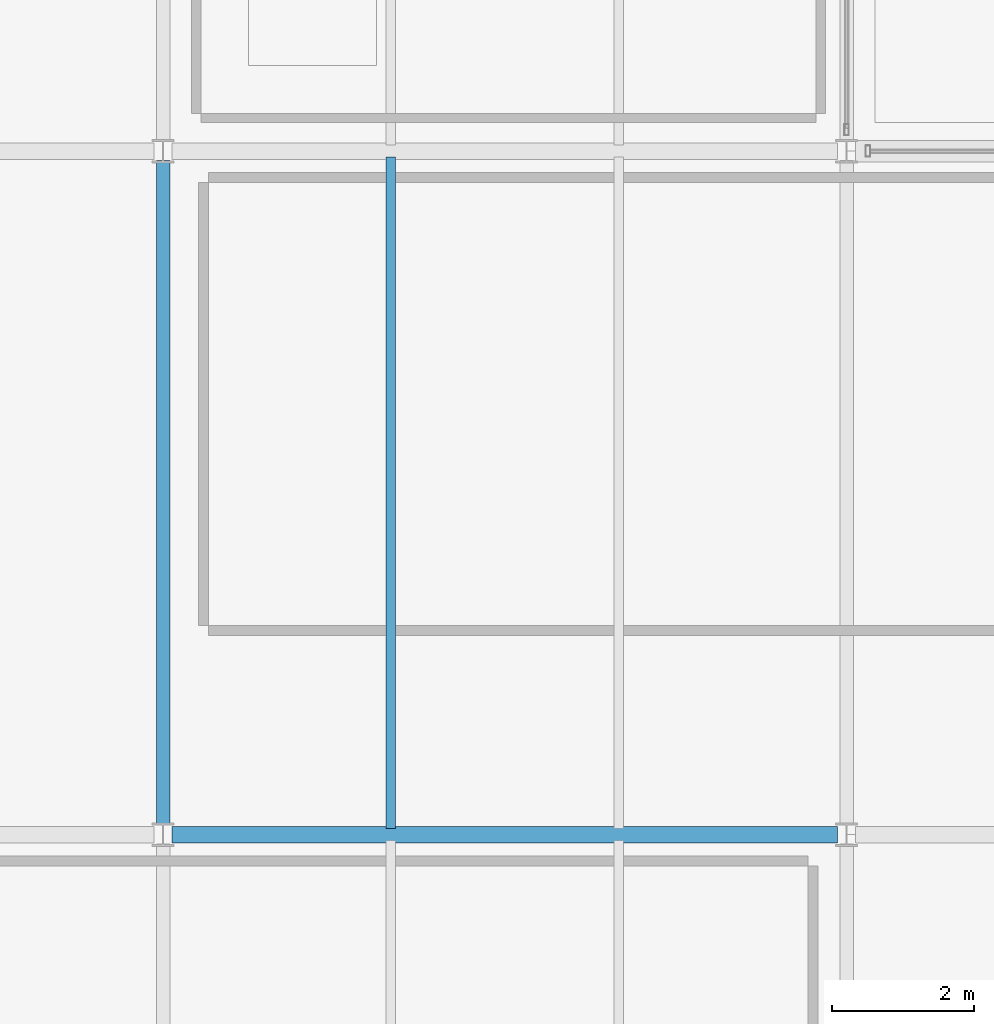
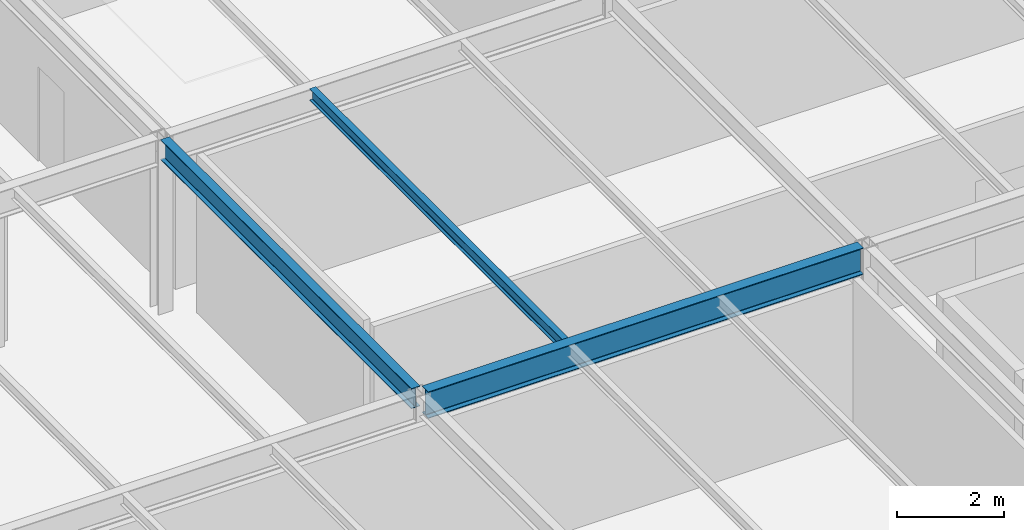
# One storey, part 8 of 50: 3 beams.
"""IFC4 building model written with IfcOpenShell, lengths in metres."""

from ifc_helpers import new_model, si_unit, direction, frame, origin, origin_2d, place, context, subcontext, project, spatial, i_section, extrude, material, material_profile, profile_set, type_object, element, save


model = new_model("IFC4")

# Units and contexts
model_context = context("Model", 3, precision=1e-05, world=origin(), true_north=direction((0.0, 1.0)))
body_context = subcontext(model_context, "Body", "Model", "MODEL_VIEW")
ifc_project = project(units=[si_unit("LENGTHUNIT", "METRE"), si_unit("AREAUNIT", "SQUARE_METRE"), si_unit("VOLUMEUNIT", "CUBIC_METRE"), si_unit("PLANEANGLEUNIT", "RADIAN"), si_unit("MASSUNIT", "GRAM", prefix="KILO")], contexts=[model_context])

# Site, building, storey
site_placement = place(None, origin())
site = spatial("IfcSite", under=ifc_project, at=site_placement, CompositionType="ELEMENT")
building_placement = place(site_placement, origin())
building = spatial("IfcBuilding", under=site, at=building_placement, Name="Coralgate Yard Interchange", CompositionType="ELEMENT")
storey_placement = place(building_placement, frame((0.0, 0.0, 14.699951171875)))
storey = spatial("IfcBuildingStorey", under=building, at=storey_placement, Name="L03", CompositionType="ELEMENT", Elevation=14.699951171875)

# Beams
ifc_material = material(Name="Structural steel S355J2", Category="steel")
ifc_material_profile_1 = material_profile(ifc_material, i_section(OverallWidth=0.1904296875, OverallDepth=0.45703125, WebThickness=0.009033203125, FlangeThickness=0.014404296875, FilletRadius=0.01025390625, at=origin_2d()), Name="UB 457x191x74")
ifc_profile_set_1 = profile_set([ifc_material_profile_1], Name="Structural steel S355J2")
beam_type_1 = type_object("IfcBeamType", Name="BM-SB-2", PredefinedType="BEAM", material=ifc_profile_set_1)
beam_1_placement = place(storey_placement, frame((9.60009765625, 9.7333984375, 3.721435546875), z_axis=(0.0, 1.0, 0.0), x_axis=(-1.0, 0.0, 0.0)))
element("IfcBeam", 1, at=beam_1_placement, inside=storey, type_object=beam_type_1, Name="L03 primary grid girder X1 Y1-2", PredefinedType="BEAM", context=body_context, shape_type="SweptSolid", body=[
    extrude(i_section(OverallWidth=0.1904296875, OverallDepth=0.45703125, WebThickness=0.009033203125, FlangeThickness=0.014404296875, FilletRadius=0.01025390625, at=origin_2d()), origin(), (0.0, 0.0, 1.0), 9.3330078125),
])
ifc_material_profile_2 = material_profile(ifc_material, i_section(OverallWidth=0.228271484375, OverallDepth=0.607666015625, WebThickness=0.010986328125, FlangeThickness=0.017333984375, FilletRadius=0.0126953125, at=origin_2d()), Name="UB 610x229x113")
ifc_profile_set_2 = profile_set([ifc_material_profile_2], Name="Structural steel S355J2")
beam_type_2 = type_object("IfcBeamType", Name="BM-SG-5", PredefinedType="BEAM", material=ifc_profile_set_2)
beam_2_placement = place(storey_placement, frame((9.7255859375, 9.60009765625, 3.646240234375), z_axis=(1.0, 0.0, 0.0), x_axis=(0.0, 1.0, 0.0)))
element("IfcBeam", 2, at=beam_2_placement, inside=storey, type_object=beam_type_2, Name="L03 primary grid beam Y1 X1-2", PredefinedType="BEAM", context=body_context, shape_type="SweptSolid", body=[
    extrude(i_section(OverallWidth=0.228271484375, OverallDepth=0.607666015625, WebThickness=0.010986328125, FlangeThickness=0.017333984375, FilletRadius=0.0126953125, at=origin_2d()), origin(), (0.0, 0.0, 1.0), 9.348876953125),
])
ifc_material_profile_3 = material_profile(ifc_material, i_section(OverallWidth=0.135009765625, OverallDepth=0.27001953125, WebThickness=0.006591796875, FlangeThickness=0.01025390625, FilletRadius=0.014892578125, at=origin_2d()), Name="IPE 270")
ifc_profile_set_3 = profile_set([ifc_material_profile_3], Name="Structural steel S355J2")
beam_type_3 = type_object("IfcBeamType", Name="BM-SJ-3", PredefinedType="JOIST", material=ifc_profile_set_3)
beam_3_placement = place(storey_placement, frame((12.800048828125, 9.68408203125, 3.81494140625), z_axis=(0.0, 1.0, 0.0), x_axis=(-1.0, 0.0, 0.0)))
element("IfcBeam", 3, at=beam_3_placement, inside=storey, type_object=beam_type_3, Name="L03 composite floor joist 1-1-1", PredefinedType="JOIST", context=body_context, shape_type="SweptSolid", body=[
    extrude(i_section(OverallWidth=0.135009765625, OverallDepth=0.27001953125, WebThickness=0.006591796875, FlangeThickness=0.01025390625, FilletRadius=0.014892578125, at=origin_2d()), origin(), (0.0, 0.0, 1.0), 9.431884765625),
])

save(model, "model.ifc")
